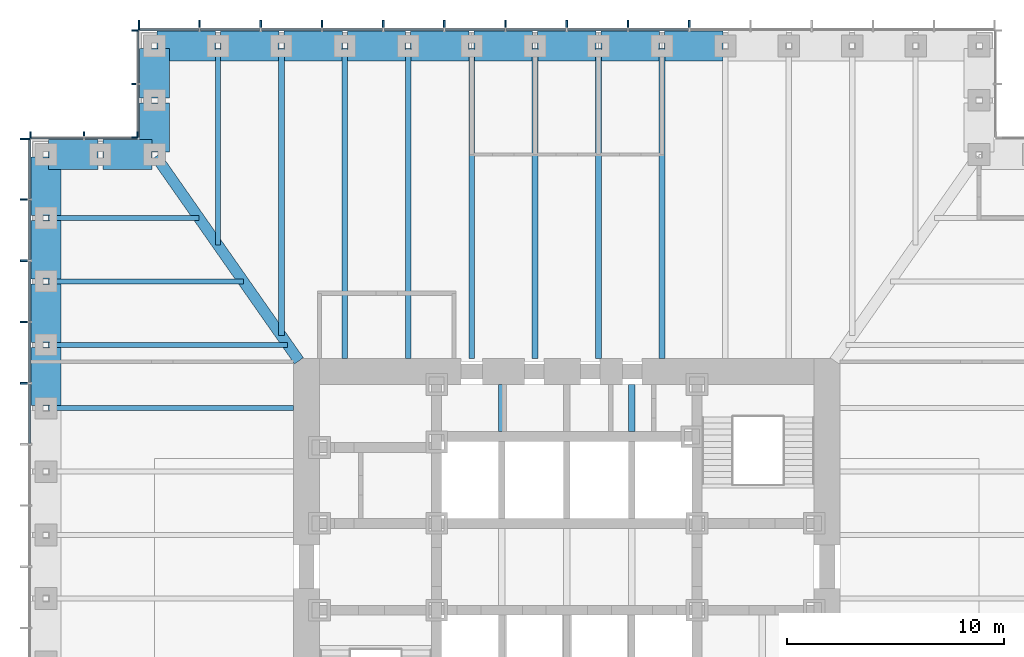
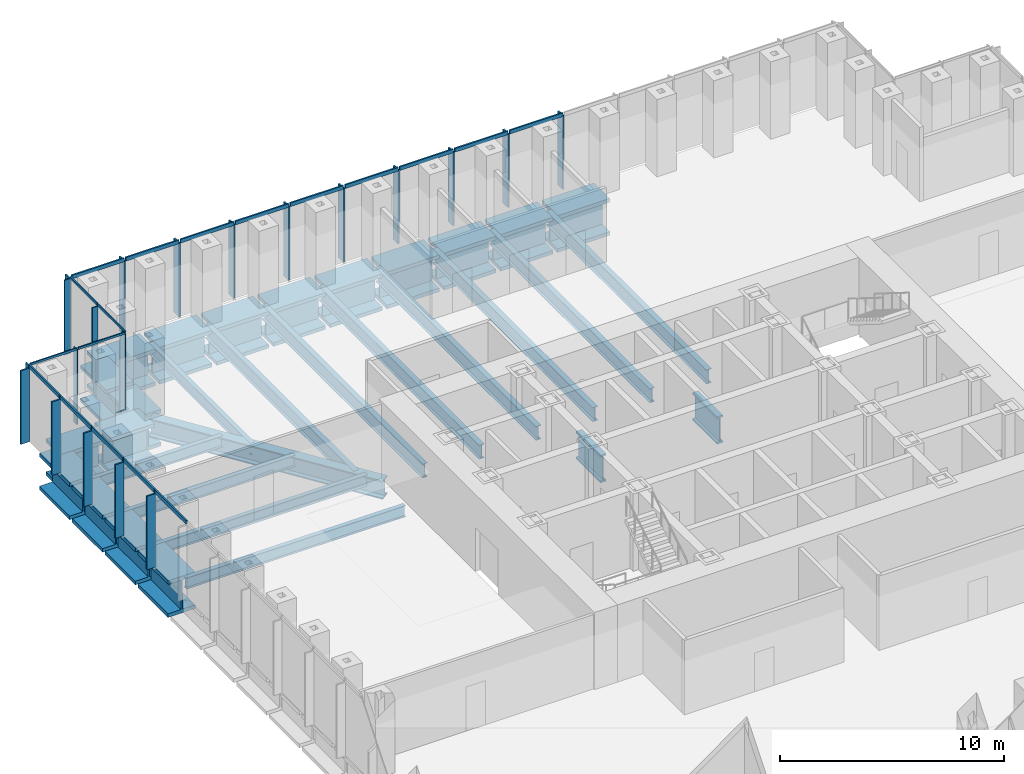
# One storey, part 5 of 16: 39 members, 32 beams, 4 elements without a shape of their own.
"""IFC4 building model written with IfcOpenShell, lengths in metres."""

from ifc_helpers import new_model, si_unit, direction, frame, origin, origin_2d, place, context, subcontext, project, spatial, rectangle, i_section, extrude, material, material_profile, profile_set, type_object, element, aggregate, save


model = new_model("IFC4")

# Units and contexts
model_context = context("Model", 3, precision=1e-05, world=origin(), true_north=direction((0.0, 1.0)))
body_context = subcontext(model_context, "Body", "Model", "MODEL_VIEW")
ifc_project = project(units=[si_unit("LENGTHUNIT", "METRE"), si_unit("AREAUNIT", "SQUARE_METRE"), si_unit("VOLUMEUNIT", "CUBIC_METRE"), si_unit("PLANEANGLEUNIT", "RADIAN"), si_unit("MASSUNIT", "GRAM", prefix="KILO")], contexts=[model_context])

# Site, building, storey
site_placement = place(None, origin())
site = spatial("IfcSite", under=ifc_project, at=site_placement, CompositionType="ELEMENT")
building_placement = place(site_placement, origin())
building = spatial("IfcBuilding", under=site, at=building_placement, Name="Daluyong Arena Tower", CompositionType="ELEMENT")
storey_placement = place(building_placement, frame((0.0, 0.0, 39.10009765625)))
storey = spatial("IfcBuildingStorey", under=building, at=storey_placement, Name="L07", CompositionType="ELEMENT", Elevation=39.10009765625)

# Curtain wall, members
ifc_material_1 = material(Name="Bronze anodised aluminium and glass", Category="aluminium")
curtain_wall_type_1 = type_object("IfcCurtainWallType", Name="Curtain wall CW1", PredefinedType="USERDEFINED", material=ifc_material_1)
curtain_wall_1_placement = place(storey_placement, origin())
curtain_wall_1 = element("IfcCurtainWall", 1, at=curtain_wall_1_placement, inside=storey, type_object=curtain_wall_type_1, Name="curtain wall L07 N", ObjectType="UNITISED CURTAIN WALL", PredefinedType="USERDEFINED")
ifc_material_2 = material(Name="Bronze anodised aluminium fin", Category="aluminium")
ifc_material_profile_1 = material_profile(ifc_material_2, rectangle(XDim=0.449951171875, YDim=0.080078125, at=origin_2d()))
ifc_profile_set_1 = profile_set([ifc_material_profile_1], Name="Bronze anodised aluminium fin")
member_type_1 = type_object("IfcMemberType", Name="CW1 bronze fin 450x80", PredefinedType="MULLION", material=ifc_profile_set_1)
member_1_placement = place(storey_placement, frame((61.642822265625, 104.97509765625, 0.0), z_axis=(0.0, 0.0, 1.0), x_axis=(0.0, -1.0, 0.0)))
member_1 = element("IfcMember", 2, at=member_1_placement, type_object=member_type_1, Name="curtain wall L07 N fin 6", PredefinedType="MULLION", context=body_context, shape_type="SweptSolid", body=[
    extrude(rectangle(XDim=0.449951171875, YDim=0.080078125, at=origin_2d()), origin(), (0.0, 0.0, 1.0), 4.0),
])
member_2_placement = place(storey_placement, frame((58.821533203125, 104.97509765625, 0.0), z_axis=(0.0, 0.0, 1.0), x_axis=(0.0, -1.0, 0.0)))
member_2 = element("IfcMember", 3, at=member_2_placement, type_object=member_type_1, Name="curtain wall L07 N fin 7", PredefinedType="MULLION", context=body_context, shape_type="SweptSolid", body=[
    extrude(rectangle(XDim=0.449951171875, YDim=0.080078125, at=origin_2d()), origin(), (0.0, 0.0, 1.0), 4.0),
])
member_3_placement = place(storey_placement, frame((56.0, 104.97509765625, 0.0), z_axis=(0.0, 0.0, 1.0), x_axis=(0.0, -1.0, 0.0)))
member_3 = element("IfcMember", 4, at=member_3_placement, type_object=member_type_1, Name="curtain wall L07 N fin 8", PredefinedType="MULLION", context=body_context, shape_type="SweptSolid", body=[
    extrude(rectangle(XDim=0.449951171875, YDim=0.080078125, at=origin_2d()), origin(), (0.0, 0.0, 1.0), 4.0),
])
member_4_placement = place(storey_placement, frame((53.178466796875, 104.97509765625, 0.0), z_axis=(0.0, 0.0, 1.0), x_axis=(0.0, -1.0, 0.0)))
member_4 = element("IfcMember", 5, at=member_4_placement, type_object=member_type_1, Name="curtain wall L07 N fin 9", PredefinedType="MULLION", context=body_context, shape_type="SweptSolid", body=[
    extrude(rectangle(XDim=0.449951171875, YDim=0.080078125, at=origin_2d()), origin(), (0.0, 0.0, 1.0), 4.0),
])
member_5_placement = place(storey_placement, frame((50.357177734375, 104.97509765625, 0.0), z_axis=(0.0, 0.0, 1.0), x_axis=(0.0, -1.0, 0.0)))
member_5 = element("IfcMember", 6, at=member_5_placement, type_object=member_type_1, Name="curtain wall L07 N fin 10", PredefinedType="MULLION", context=body_context, shape_type="SweptSolid", body=[
    extrude(rectangle(XDim=0.449951171875, YDim=0.080078125, at=origin_2d()), origin(), (0.0, 0.0, 1.0), 4.0),
])
member_6_placement = place(storey_placement, frame((47.53564453125, 104.97509765625, 0.0), z_axis=(0.0, 0.0, 1.0), x_axis=(0.0, -1.0, 0.0)))
member_6 = element("IfcMember", 7, at=member_6_placement, type_object=member_type_1, Name="curtain wall L07 N fin 11", PredefinedType="MULLION", context=body_context, shape_type="SweptSolid", body=[
    extrude(rectangle(XDim=0.449951171875, YDim=0.080078125, at=origin_2d()), origin(), (0.0, 0.0, 1.0), 4.0),
])
member_7_placement = place(storey_placement, frame((44.71435546875, 104.97509765625, 0.0), z_axis=(0.0, 0.0, 1.0), x_axis=(0.0, -1.0, 0.0)))
member_7 = element("IfcMember", 8, at=member_7_placement, type_object=member_type_1, Name="curtain wall L07 N fin 12", PredefinedType="MULLION", context=body_context, shape_type="SweptSolid", body=[
    extrude(rectangle(XDim=0.449951171875, YDim=0.080078125, at=origin_2d()), origin(), (0.0, 0.0, 1.0), 4.0),
])
member_8_placement = place(storey_placement, frame((41.892822265625, 104.97509765625, 0.0), z_axis=(0.0, 0.0, 1.0), x_axis=(0.0, -1.0, 0.0)))
member_8 = element("IfcMember", 9, at=member_8_placement, type_object=member_type_1, Name="curtain wall L07 N fin 13", PredefinedType="MULLION", context=body_context, shape_type="SweptSolid", body=[
    extrude(rectangle(XDim=0.449951171875, YDim=0.080078125, at=origin_2d()), origin(), (0.0, 0.0, 1.0), 4.0),
])
member_9_placement = place(storey_placement, frame((39.071533203125, 104.97509765625, 0.0), z_axis=(0.0, 0.0, 1.0), x_axis=(0.0, -1.0, 0.0)))
member_9 = element("IfcMember", 10, at=member_9_placement, type_object=member_type_1, Name="curtain wall L07 N fin 14", PredefinedType="MULLION", context=body_context, shape_type="SweptSolid", body=[
    extrude(rectangle(XDim=0.449951171875, YDim=0.080078125, at=origin_2d()), origin(), (0.0, 0.0, 1.0), 4.0),
])
member_10_placement = place(storey_placement, frame((36.2900390625, 104.97509765625, 0.0), z_axis=(0.0, 0.0, 1.0), x_axis=(0.0, -1.0, 0.0)))
member_10 = element("IfcMember", 11, at=member_10_placement, type_object=member_type_1, Name="curtain wall L07 N fin 15", PredefinedType="MULLION", context=body_context, shape_type="SweptSolid", body=[
    extrude(rectangle(XDim=0.449951171875, YDim=0.080078125, at=origin_2d()), origin(), (0.0, 0.0, 1.0), 4.0),
])

curtain_wall_2_placement = place(storey_placement, origin())
curtain_wall_2 = element("IfcCurtainWall", 12, at=curtain_wall_2_placement, inside=storey, type_object=curtain_wall_type_1, Name="curtain wall L07 W", ObjectType="UNITISED CURTAIN WALL", PredefinedType="USERDEFINED")
member_11_placement = place(storey_placement, frame((31.02490234375, 99.7099609375, 0.0), z_axis=(0.0, 0.0, 1.0), x_axis=(1.0, 0.0, 0.0)))
member_11 = element("IfcMember", 13, at=member_11_placement, type_object=member_type_1, Name="curtain wall L07 W fin 1", PredefinedType="MULLION", context=body_context, shape_type="SweptSolid", body=[
    extrude(rectangle(XDim=0.449951171875, YDim=0.080078125, at=origin_2d()), origin(), (0.0, 0.0, 1.0), 4.0),
])
member_12_placement = place(storey_placement, frame((31.02490234375, 96.928466796875, 0.0), z_axis=(0.0, 0.0, 1.0), x_axis=(1.0, 0.0, 0.0)))
member_12 = element("IfcMember", 14, at=member_12_placement, type_object=member_type_1, Name="curtain wall L07 W fin 2", PredefinedType="MULLION", context=body_context, shape_type="SweptSolid", body=[
    extrude(rectangle(XDim=0.449951171875, YDim=0.080078125, at=origin_2d()), origin(), (0.0, 0.0, 1.0), 4.0),
])
member_13_placement = place(storey_placement, frame((31.02490234375, 94.107177734375, 0.0), z_axis=(0.0, 0.0, 1.0), x_axis=(1.0, 0.0, 0.0)))
member_13 = element("IfcMember", 15, at=member_13_placement, type_object=member_type_1, Name="curtain wall L07 W fin 3", PredefinedType="MULLION", context=body_context, shape_type="SweptSolid", body=[
    extrude(rectangle(XDim=0.449951171875, YDim=0.080078125, at=origin_2d()), origin(), (0.0, 0.0, 1.0), 4.0),
])
member_14_placement = place(storey_placement, frame((31.02490234375, 91.28564453125, 0.0), z_axis=(0.0, 0.0, 1.0), x_axis=(1.0, 0.0, 0.0)))
member_14 = element("IfcMember", 16, at=member_14_placement, type_object=member_type_1, Name="curtain wall L07 W fin 4", PredefinedType="MULLION", context=body_context, shape_type="SweptSolid", body=[
    extrude(rectangle(XDim=0.449951171875, YDim=0.080078125, at=origin_2d()), origin(), (0.0, 0.0, 1.0), 4.0),
])
member_15_placement = place(storey_placement, frame((31.02490234375, 88.46435546875, 0.0), z_axis=(0.0, 0.0, 1.0), x_axis=(1.0, 0.0, 0.0)))
member_15 = element("IfcMember", 17, at=member_15_placement, type_object=member_type_1, Name="curtain wall L07 W fin 5", PredefinedType="MULLION", context=body_context, shape_type="SweptSolid", body=[
    extrude(rectangle(XDim=0.449951171875, YDim=0.080078125, at=origin_2d()), origin(), (0.0, 0.0, 1.0), 4.0),
])

# Member
ifc_material_3 = material(Name="Bronze anodised aluminium", Category="aluminium")
ifc_material_profile_2 = material_profile(ifc_material_3, rectangle(XDim=0.080078125, YDim=0.199951171875, at=origin_2d()))
ifc_profile_set_2 = profile_set([ifc_material_profile_2], Name="Bronze anodised aluminium")
member_type_2 = type_object("IfcMemberType", Name="CW1 stack transom 200x80", PredefinedType="USERDEFINED", material=ifc_profile_set_2)
member_16_placement = place(storey_placement, frame((61.602783203125, 104.75, 4.099853515625), z_axis=(-1.0, 0.0, 0.0), x_axis=(0.0, -1.0, 0.0)))
member_16 = element("IfcMember", 18, at=member_16_placement, type_object=member_type_2, Name="curtain wall L07 N transom 6", ObjectType="TRANSOM", PredefinedType="USERDEFINED", context=body_context, shape_type="SweptSolid", body=[
    extrude(rectangle(XDim=0.080078125, YDim=0.199951171875, at=origin_2d()), origin(), (0.0, 0.0, 1.0), 2.741455078125),
])

member_17_placement = place(storey_placement, frame((58.781494140625, 104.75, 4.099853515625), z_axis=(-1.0, 0.0, 0.0), x_axis=(0.0, -1.0, 0.0)))
member_17 = element("IfcMember", 19, at=member_17_placement, type_object=member_type_2, Name="curtain wall L07 N transom 7", ObjectType="TRANSOM", PredefinedType="USERDEFINED", context=body_context, shape_type="SweptSolid", body=[
    extrude(rectangle(XDim=0.080078125, YDim=0.199951171875, at=origin_2d()), origin(), (0.0, 0.0, 1.0), 2.741455078125),
])

member_18_placement = place(storey_placement, frame((55.9599609375, 104.75, 4.099853515625), z_axis=(-1.0, 0.0, 0.0), x_axis=(0.0, -1.0, 0.0)))
member_18 = element("IfcMember", 20, at=member_18_placement, type_object=member_type_2, Name="curtain wall L07 N transom 8", ObjectType="TRANSOM", PredefinedType="USERDEFINED", context=body_context, shape_type="SweptSolid", body=[
    extrude(rectangle(XDim=0.080078125, YDim=0.199951171875, at=origin_2d()), origin(), (0.0, 0.0, 1.0), 2.741455078125),
])

member_19_placement = place(storey_placement, frame((53.138671875, 104.75, 4.099853515625), z_axis=(-1.0, 0.0, 0.0), x_axis=(0.0, -1.0, 0.0)))
member_19 = element("IfcMember", 21, at=member_19_placement, type_object=member_type_2, Name="curtain wall L07 N transom 9", ObjectType="TRANSOM", PredefinedType="USERDEFINED", context=body_context, shape_type="SweptSolid", body=[
    extrude(rectangle(XDim=0.080078125, YDim=0.199951171875, at=origin_2d()), origin(), (0.0, 0.0, 1.0), 2.741455078125),
])

member_20_placement = place(storey_placement, frame((50.317138671875, 104.75, 4.099853515625), z_axis=(-1.0, 0.0, 0.0), x_axis=(0.0, -1.0, 0.0)))
member_20 = element("IfcMember", 22, at=member_20_placement, type_object=member_type_2, Name="curtain wall L07 N transom 10", ObjectType="TRANSOM", PredefinedType="USERDEFINED", context=body_context, shape_type="SweptSolid", body=[
    extrude(rectangle(XDim=0.080078125, YDim=0.199951171875, at=origin_2d()), origin(), (0.0, 0.0, 1.0), 2.741455078125),
])

member_21_placement = place(storey_placement, frame((47.49560546875, 104.75, 4.099853515625), z_axis=(-1.0, 0.0, 0.0), x_axis=(0.0, -1.0, 0.0)))
member_21 = element("IfcMember", 23, at=member_21_placement, type_object=member_type_2, Name="curtain wall L07 N transom 11", ObjectType="TRANSOM", PredefinedType="USERDEFINED", context=body_context, shape_type="SweptSolid", body=[
    extrude(rectangle(XDim=0.080078125, YDim=0.199951171875, at=origin_2d()), origin(), (0.0, 0.0, 1.0), 2.7412109375),
])

member_22_placement = place(storey_placement, frame((44.67431640625, 104.75, 4.099853515625), z_axis=(-1.0, 0.0, 0.0), x_axis=(0.0, -1.0, 0.0)))
member_22 = element("IfcMember", 24, at=member_22_placement, type_object=member_type_2, Name="curtain wall L07 N transom 12", ObjectType="TRANSOM", PredefinedType="USERDEFINED", context=body_context, shape_type="SweptSolid", body=[
    extrude(rectangle(XDim=0.080078125, YDim=0.199951171875, at=origin_2d()), origin(), (0.0, 0.0, 1.0), 2.741455078125),
])

member_23_placement = place(storey_placement, frame((41.852783203125, 104.75, 4.099853515625), z_axis=(-1.0, 0.0, 0.0), x_axis=(0.0, -1.0, 0.0)))
member_23 = element("IfcMember", 25, at=member_23_placement, type_object=member_type_2, Name="curtain wall L07 N transom 13", ObjectType="TRANSOM", PredefinedType="USERDEFINED", context=body_context, shape_type="SweptSolid", body=[
    extrude(rectangle(XDim=0.080078125, YDim=0.199951171875, at=origin_2d()), origin(), (0.0, 0.0, 1.0), 2.741455078125),
])

member_24_placement = place(storey_placement, frame((39.031494140625, 104.75, 4.099853515625), z_axis=(-1.0, 0.0, 0.0), x_axis=(0.0, -1.0, 0.0)))
member_24 = element("IfcMember", 26, at=member_24_placement, type_object=member_type_2, Name="curtain wall L07 N transom 14", ObjectType="TRANSOM", PredefinedType="USERDEFINED", context=body_context, shape_type="SweptSolid", body=[
    extrude(rectangle(XDim=0.080078125, YDim=0.199951171875, at=origin_2d()), origin(), (0.0, 0.0, 1.0), 2.701416015625),
])

aggregate(curtain_wall_1, [member_1, member_2, member_3, member_4, member_5, member_6, member_7, member_8, member_9, member_10, member_16, member_17, member_18, member_19, member_20, member_21, member_22, member_23, member_24])

member_25_placement = place(storey_placement, frame((31.25, 99.669921875, 4.099853515625), z_axis=(0.0, -1.0, 0.0), x_axis=(1.0, 0.0, 0.0)))
member_25 = element("IfcMember", 27, at=member_25_placement, type_object=member_type_2, Name="curtain wall L07 W transom 1", ObjectType="TRANSOM", PredefinedType="USERDEFINED", context=body_context, shape_type="SweptSolid", body=[
    extrude(rectangle(XDim=0.080078125, YDim=0.199951171875, at=origin_2d()), origin(), (0.0, 0.0, 1.0), 2.701416015625),
])

member_26_placement = place(storey_placement, frame((31.25, 96.888671875, 4.099853515625), z_axis=(0.0, -1.0, 0.0), x_axis=(1.0, 0.0, 0.0)))
member_26 = element("IfcMember", 28, at=member_26_placement, type_object=member_type_2, Name="curtain wall L07 W transom 2", ObjectType="TRANSOM", PredefinedType="USERDEFINED", context=body_context, shape_type="SweptSolid", body=[
    extrude(rectangle(XDim=0.080078125, YDim=0.199951171875, at=origin_2d()), origin(), (0.0, 0.0, 1.0), 2.741455078125),
])

member_27_placement = place(storey_placement, frame((31.25, 94.067138671875, 4.099853515625), z_axis=(0.0, -1.0, 0.0), x_axis=(1.0, 0.0, 0.0)))
member_27 = element("IfcMember", 29, at=member_27_placement, type_object=member_type_2, Name="curtain wall L07 W transom 3", ObjectType="TRANSOM", PredefinedType="USERDEFINED", context=body_context, shape_type="SweptSolid", body=[
    extrude(rectangle(XDim=0.080078125, YDim=0.199951171875, at=origin_2d()), origin(), (0.0, 0.0, 1.0), 2.741455078125),
])

member_28_placement = place(storey_placement, frame((31.25, 91.24560546875, 4.099853515625), z_axis=(0.0, -1.0, 0.0), x_axis=(1.0, 0.0, 0.0)))
member_28 = element("IfcMember", 30, at=member_28_placement, type_object=member_type_2, Name="curtain wall L07 W transom 4", ObjectType="TRANSOM", PredefinedType="USERDEFINED", context=body_context, shape_type="SweptSolid", body=[
    extrude(rectangle(XDim=0.080078125, YDim=0.199951171875, at=origin_2d()), origin(), (0.0, 0.0, 1.0), 2.7412109375),
])

member_29_placement = place(storey_placement, frame((31.25, 88.42431640625, 4.099853515625), z_axis=(0.0, -1.0, 0.0), x_axis=(1.0, 0.0, 0.0)))
member_29 = element("IfcMember", 31, at=member_29_placement, type_object=member_type_2, Name="curtain wall L07 W transom 5", ObjectType="TRANSOM", PredefinedType="USERDEFINED", context=body_context, shape_type="SweptSolid", body=[
    extrude(rectangle(XDim=0.080078125, YDim=0.199951171875, at=origin_2d()), origin(), (0.0, 0.0, 1.0), 2.741455078125),
])

aggregate(curtain_wall_2, [member_11, member_12, member_13, member_14, member_15, member_25, member_26, member_27, member_28, member_29])

# Curtain wall, members
ifc_material_4 = material(Name="Bronze anodised aluminium and glass", Category="aluminium")
curtain_wall_type_2 = type_object("IfcCurtainWallType", Name="Curtain wall CW7", PredefinedType="USERDEFINED", material=ifc_material_4)
curtain_wall_3_placement = place(storey_placement, origin())
curtain_wall_3 = element("IfcCurtainWall", 32, at=curtain_wall_3_placement, inside=storey, type_object=curtain_wall_type_2, Name="curtain wall L07 NW-W", ObjectType="UNITISED CURTAIN WALL", PredefinedType="USERDEFINED")
ifc_material_5 = material(Name="Bronze anodised aluminium fin", Category="aluminium")
ifc_material_profile_3 = material_profile(ifc_material_5, rectangle(XDim=0.300048828125, YDim=0.06005859375, at=origin_2d()))
ifc_profile_set_3 = profile_set([ifc_material_profile_3], Name="Bronze anodised aluminium fin")
member_type_3 = type_object("IfcMemberType", Name="CW7 bronze fin 300x60", PredefinedType="MULLION", material=ifc_profile_set_3)
member_30_placement = place(storey_placement, frame((36.10009765625, 104.719970703125, 0.0), z_axis=(0.0, 0.0, 1.0), x_axis=(1.0, 0.0, 0.0)))
member_30 = element("IfcMember", 33, at=member_30_placement, type_object=member_type_3, Name="curtain wall L07 NW-W fin 1", PredefinedType="MULLION", context=body_context, shape_type="SweptSolid", body=[
    extrude(rectangle(XDim=0.300048828125, YDim=0.06005859375, at=origin_2d()), origin(), (0.0, 0.0, 1.0), 4.079833984375),
])
member_31_placement = place(storey_placement, frame((36.10009765625, 102.25, 0.0), z_axis=(0.0, 0.0, 1.0), x_axis=(1.0, 0.0, 0.0)))
member_31 = element("IfcMember", 34, at=member_31_placement, type_object=member_type_3, Name="curtain wall L07 NW-W fin 2", PredefinedType="MULLION", context=body_context, shape_type="SweptSolid", body=[
    extrude(rectangle(XDim=0.300048828125, YDim=0.06005859375, at=origin_2d()), origin(), (0.0, 0.0, 1.0), 4.079833984375),
])
member_32_placement = place(storey_placement, frame((36.10009765625, 99.780029296875, 0.0), z_axis=(0.0, 0.0, 1.0), x_axis=(1.0, 0.0, 0.0)))
member_32 = element("IfcMember", 35, at=member_32_placement, type_object=member_type_3, Name="curtain wall L07 NW-W fin 3", PredefinedType="MULLION", context=body_context, shape_type="SweptSolid", body=[
    extrude(rectangle(XDim=0.300048828125, YDim=0.06005859375, at=origin_2d()), origin(), (0.0, 0.0, 1.0), 4.079833984375),
])

curtain_wall_4_placement = place(storey_placement, origin())
curtain_wall_4 = element("IfcCurtainWall", 36, at=curtain_wall_4_placement, inside=storey, type_object=curtain_wall_type_2, Name="curtain wall L07 NW-N", ObjectType="UNITISED CURTAIN WALL", PredefinedType="USERDEFINED")
member_33_placement = place(storey_placement, frame((36.219970703125, 99.89990234375, 0.0), z_axis=(0.0, 0.0, 1.0), x_axis=(0.0, -1.0, 0.0)))
member_33 = element("IfcMember", 37, at=member_33_placement, type_object=member_type_3, Name="curtain wall L07 NW-N fin 1", PredefinedType="MULLION", context=body_context, shape_type="SweptSolid", body=[
    extrude(rectangle(XDim=0.300048828125, YDim=0.06005859375, at=origin_2d()), origin(), (0.0, 0.0, 1.0), 4.079833984375),
])
member_34_placement = place(storey_placement, frame((33.75, 99.89990234375, 0.0), z_axis=(0.0, 0.0, 1.0), x_axis=(0.0, -1.0, 0.0)))
member_34 = element("IfcMember", 38, at=member_34_placement, type_object=member_type_3, Name="curtain wall L07 NW-N fin 2", PredefinedType="MULLION", context=body_context, shape_type="SweptSolid", body=[
    extrude(rectangle(XDim=0.300048828125, YDim=0.06005859375, at=origin_2d()), origin(), (0.0, 0.0, 1.0), 4.079833984375),
])
member_35_placement = place(storey_placement, frame((31.280029296875, 99.89990234375, 0.0), z_axis=(0.0, 0.0, 1.0), x_axis=(0.0, -1.0, 0.0)))
member_35 = element("IfcMember", 39, at=member_35_placement, type_object=member_type_3, Name="curtain wall L07 NW-N fin 3", PredefinedType="MULLION", context=body_context, shape_type="SweptSolid", body=[
    extrude(rectangle(XDim=0.300048828125, YDim=0.06005859375, at=origin_2d()), origin(), (0.0, 0.0, 1.0), 4.079833984375),
])

# Member
ifc_material_6 = material(Name="Bronze anodised aluminium", Category="aluminium")
ifc_material_profile_4 = material_profile(ifc_material_6, rectangle(XDim=0.06005859375, YDim=0.1201171875, at=origin_2d()))
ifc_profile_set_4 = profile_set([ifc_material_profile_4], Name="Bronze anodised aluminium")
member_type_4 = type_object("IfcMemberType", Name="CW7 stack transom 120x60", PredefinedType="USERDEFINED", material=ifc_profile_set_4)
member_36_placement = place(storey_placement, frame((36.25, 104.68994140625, 4.139892578125), z_axis=(0.0, -1.0, 0.0), x_axis=(1.0, 0.0, 0.0)))
member_36 = element("IfcMember", 40, at=member_36_placement, type_object=member_type_4, Name="curtain wall L07 NW-W transom 1", ObjectType="TRANSOM", PredefinedType="USERDEFINED", context=body_context, shape_type="SweptSolid", body=[
    extrude(rectangle(XDim=0.06005859375, YDim=0.1201171875, at=origin_2d()), origin(), (0.0, 0.0, 1.0), 2.409912109375),
])

member_37_placement = place(storey_placement, frame((36.25, 102.219970703125, 4.139892578125), z_axis=(0.0, -1.0, 0.0), x_axis=(1.0, 0.0, 0.0)))
member_37 = element("IfcMember", 41, at=member_37_placement, type_object=member_type_4, Name="curtain wall L07 NW-W transom 2", ObjectType="TRANSOM", PredefinedType="USERDEFINED", context=body_context, shape_type="SweptSolid", body=[
    extrude(rectangle(XDim=0.06005859375, YDim=0.1201171875, at=origin_2d()), origin(), (0.0, 0.0, 1.0), 2.409912109375),
])

aggregate(curtain_wall_3, [member_30, member_31, member_32, member_36, member_37])

member_38_placement = place(storey_placement, frame((36.18994140625, 99.75, 4.139892578125), z_axis=(-1.0, 0.0, 0.0), x_axis=(0.0, -1.0, 0.0)))
member_38 = element("IfcMember", 42, at=member_38_placement, type_object=member_type_4, Name="curtain wall L07 NW-N transom 1", ObjectType="TRANSOM", PredefinedType="USERDEFINED", context=body_context, shape_type="SweptSolid", body=[
    extrude(rectangle(XDim=0.06005859375, YDim=0.1201171875, at=origin_2d()), origin(), (0.0, 0.0, 1.0), 2.409912109375),
])

member_39_placement = place(storey_placement, frame((33.719970703125, 99.75, 4.139892578125), z_axis=(-1.0, 0.0, 0.0), x_axis=(0.0, -1.0, 0.0)))
member_39 = element("IfcMember", 43, at=member_39_placement, type_object=member_type_4, Name="curtain wall L07 NW-N transom 2", ObjectType="TRANSOM", PredefinedType="USERDEFINED", context=body_context, shape_type="SweptSolid", body=[
    extrude(rectangle(XDim=0.06005859375, YDim=0.1201171875, at=origin_2d()), origin(), (0.0, 0.0, 1.0), 2.409912109375),
])

aggregate(curtain_wall_4, [member_33, member_34, member_35, member_38, member_39])

# Beams
ifc_material_7 = material(Name="Steel ASTM A572 Grade 50", Category="steel")
ifc_material_profile_5 = material_profile(ifc_material_7, i_section(OverallWidth=0.5, OverallDepth=1.0, WebThickness=0.03, FlangeThickness=0.06, at=origin_2d()))
ifc_profile_set_5 = profile_set([ifc_material_profile_5], Name="Steel ASTM A572 Grade 50")
beam_type_1 = type_object("IfcBeamType", Name="Corner girder TB1000X500", PredefinedType="BEAM", material=ifc_profile_set_5)
beam_1_placement = place(storey_placement, frame((37.06591796875, 98.90576171875, -0.66015625), z_axis=(0.573466621875, -0.819228926244, 0.0), x_axis=(0.819228926244, 0.573466621875, 0.0)))
element("IfcBeam", 44, at=beam_1_placement, inside=storey, type_object=beam_type_1, Name="corner girder DG2", PredefinedType="BEAM", context=body_context, shape_type="SweptSolid", body=[
    extrude(i_section(OverallWidth=0.5, OverallDepth=1.0, WebThickness=0.03, FlangeThickness=0.06, at=origin_2d()), origin(), (0.0, 0.0, 1.0), 11.49169921875),
])
ifc_material_8 = material(Name="Steel ASTM A992 Grade 50", Category="steel")
ifc_material_profile_6 = material_profile(ifc_material_8, i_section(OverallWidth=0.22900390625, OverallDepth=0.612060546875, WebThickness=0.011962890625, FlangeThickness=0.01953125, at=origin_2d()))
ifc_profile_set_6 = profile_set([ifc_material_profile_6], Name="Steel ASTM A992 Grade 50")
beam_type_2 = type_object("IfcBeamType", Name="Floor beam W24X84", PredefinedType="BEAM", material=ifc_profile_set_6)
beam_2_placement = place(storey_placement, frame((39.923095703125, 103.885009765625, -0.466064453125), z_axis=(0.0, -1.0, 0.0), x_axis=(1.0, 0.0, 0.0)))
element("IfcBeam", 45, at=beam_2_placement, inside=storey, type_object=beam_type_2, Name="floor beam FB3", PredefinedType="BEAM", context=body_context, shape_type="SweptSolid", body=[
    extrude(i_section(OverallWidth=0.22900390625, OverallDepth=0.612060546875, WebThickness=0.011962890625, FlangeThickness=0.01953125, at=origin_2d()), origin(), (0.0, 0.0, 1.0), 9.060791015625),
])
beam_3_placement = place(storey_placement, frame((32.114990234375, 96.076904296875, -0.466064453125), z_axis=(1.0, 0.0, 0.0), x_axis=(0.0, 1.0, 0.0)))
element("IfcBeam", 46, at=beam_3_placement, inside=storey, type_object=beam_type_2, Name="floor beam FB3", PredefinedType="BEAM", context=body_context, shape_type="SweptSolid", body=[
    extrude(i_section(OverallWidth=0.22900390625, OverallDepth=0.612060546875, WebThickness=0.011962890625, FlangeThickness=0.01953125, at=origin_2d()), origin(), (0.0, 0.0, 1.0), 6.93115234375),
])
beam_4_placement = place(storey_placement, frame((32.114990234375, 93.15380859375, -0.466064453125), z_axis=(1.0, 0.0, 0.0), x_axis=(0.0, 1.0, 0.0)))
element("IfcBeam", 47, at=beam_4_placement, inside=storey, type_object=beam_type_2, Name="floor beam FB3", PredefinedType="BEAM", context=body_context, shape_type="SweptSolid", body=[
    extrude(i_section(OverallWidth=0.22900390625, OverallDepth=0.612060546875, WebThickness=0.011962890625, FlangeThickness=0.01953125, at=origin_2d()), origin(), (0.0, 0.0, 1.0), 8.977294921875),
])
beam_5_placement = place(storey_placement, frame((32.114990234375, 90.230712890625, -0.466064453125), z_axis=(1.0, 0.0, 0.0), x_axis=(0.0, 1.0, 0.0)))
element("IfcBeam", 48, at=beam_5_placement, inside=storey, type_object=beam_type_2, Name="floor beam FB3", PredefinedType="BEAM", context=body_context, shape_type="SweptSolid", body=[
    extrude(i_section(OverallWidth=0.22900390625, OverallDepth=0.612060546875, WebThickness=0.011962890625, FlangeThickness=0.01953125, at=origin_2d()), origin(), (0.0, 0.0, 1.0), 11.0234375),
])
beam_6_placement = place(storey_placement, frame((32.114990234375, 87.3076171875, -0.466064453125), z_axis=(1.0, 0.0, 0.0), x_axis=(0.0, 1.0, 0.0)))
element("IfcBeam", 49, at=beam_6_placement, inside=storey, type_object=beam_type_2, Name="floor beam FB3", PredefinedType="BEAM", context=body_context, shape_type="SweptSolid", body=[
    extrude(i_section(OverallWidth=0.22900390625, OverallDepth=0.612060546875, WebThickness=0.011962890625, FlangeThickness=0.01953125, at=origin_2d()), origin(), (0.0, 0.0, 1.0), 11.284912109375),
])
ifc_material_9 = material(Name="Steel ASTM A992 Grade 50", Category="steel")
ifc_material_profile_7 = material_profile(ifc_material_9, i_section(OverallWidth=0.2666015625, OverallDepth=0.761962890625, WebThickness=0.014404296875, FlangeThickness=0.021484375, at=origin_2d()))
ifc_profile_set_7 = profile_set([ifc_material_profile_7], Name="Steel ASTM A992 Grade 50")
beam_type_3 = type_object("IfcBeamType", Name="Floor beam W30X116", PredefinedType="BEAM", material=ifc_profile_set_7)
for number, where, z_axis, x_axis, name in (
    (50, (60.384521484375, 103.885009765625, -0.541015625), (0.0, -1.0, 0.0), (1.0, 0.0, 0.0), "floor beam FB4"),
    (51, (57.46142578125, 103.885009765625, -0.541015625), (0.0, -1.0, 0.0), (1.0, 0.0, 0.0), "floor beam FB4"),
    (52, (54.53857421875, 103.885009765625, -0.541015625), (0.0, -1.0, 0.0), (1.0, 0.0, 0.0), "floor beam FB4"),
    (53, (51.615478515625, 103.885009765625, -0.541015625), (0.0, -1.0, 0.0), (1.0, 0.0, 0.0), "floor beam FB4"),
    (54, (48.6923828125, 103.885009765625, -0.541015625), (0.0, -1.0, 0.0), (1.0, 0.0, 0.0), "floor beam FB4"),
    (55, (45.769287109375, 103.885009765625, -0.541015625), (0.0, -1.0, 0.0), (1.0, 0.0, 0.0), "floor beam FB4"),
):
    element("IfcBeam", number, at=place(storey_placement, frame(where, z_axis=z_axis, x_axis=x_axis)), inside=storey, type_object=beam_type_3, Name=name, PredefinedType="BEAM", context=body_context, shape_type="SweptSolid", body=[
        extrude(i_section(OverallWidth=0.2666015625, OverallDepth=0.761962890625, WebThickness=0.014404296875, FlangeThickness=0.021484375, at=origin_2d()), origin(), (0.0, 0.0, 1.0), 14.284912109375),
    ])
beam_7_placement = place(storey_placement, frame((42.84619140625, 103.885009765625, -0.541015625), z_axis=(0.0, -1.0, 0.0), x_axis=(1.0, 0.0, 0.0)))
element("IfcBeam", 56, at=beam_7_placement, inside=storey, type_object=beam_type_3, Name="floor beam FB4", PredefinedType="BEAM", context=body_context, shape_type="SweptSolid", body=[
    extrude(i_section(OverallWidth=0.2666015625, OverallDepth=0.761962890625, WebThickness=0.014404296875, FlangeThickness=0.021484375, at=origin_2d()), origin(), (0.0, 0.0, 1.0), 13.236572265625),
])
ifc_material_10 = material(Name="Steel ASTM A572 Grade 50", Category="steel")
ifc_material_profile_8 = material_profile(ifc_material_10, i_section(OverallWidth=0.300048828125, OverallDepth=1.5, WebThickness=0.04, FlangeThickness=0.1, at=origin_2d()))
ifc_profile_set_8 = profile_set([ifc_material_profile_8], Name="Steel ASTM A572 Grade 50")
beam_type_4 = type_object("IfcBeamType", Name="Lift divider beam PG1500X300", PredefinedType="BEAM", material=ifc_profile_set_8)
for number, where, z_axis, x_axis, name in (
    (57, (53.0, 86.22509765625, -0.91015625), (0.0, 1.0, 0.0), (-1.0, 0.0, 0.0), "lift divider beam DB2"),
    (58, (59.0, 86.22509765625, -0.91015625), (0.0, 1.0, 0.0), (-1.0, 0.0, 0.0), "lift divider beam DB2"),
):
    element("IfcBeam", number, at=place(storey_placement, frame(where, z_axis=z_axis, x_axis=x_axis)), inside=storey, type_object=beam_type_4, Name=name, PredefinedType="BEAM", context=body_context, shape_type="SweptSolid", body=[
        extrude(i_section(OverallWidth=0.300048828125, OverallDepth=1.5, WebThickness=0.04, FlangeThickness=0.1, at=origin_2d()), origin(), (0.0, 0.0, 1.0), 2.1748046875),
    ])
ifc_material_11 = material(Name="Steel ASTM A588 Grade 50", Category="steel")
ifc_material_profile_9 = material_profile(ifc_material_11, i_section(OverallWidth=1.39990234375, OverallDepth=2.0, WebThickness=0.07, FlangeThickness=0.2, at=origin_2d()))
ifc_profile_set_9 = profile_set([ifc_material_profile_9], Name="Steel ASTM A588 Grade 50")
beam_type_5 = type_object("IfcBeamType", Name="Spandrel Z1 PG2000X1400", PredefinedType="SPANDREL", material=ifc_profile_set_9)
for number, where, z_axis, x_axis, name in (
    (59, (63.192626953125, 104.0, -1.16015625), (-1.0, 0.0, 0.0), (0.0, -1.0, 0.0), "spandrel z1 SB1"),
    (60, (60.26953125, 104.0, -1.16015625), (-1.0, 0.0, 0.0), (0.0, -1.0, 0.0), "spandrel z1 SB1"),
):
    element("IfcBeam", number, at=place(storey_placement, frame(where, z_axis=z_axis, x_axis=x_axis)), inside=storey, type_object=beam_type_5, Name=name, PredefinedType="SPANDREL", context=body_context, shape_type="SweptSolid", body=[
        extrude(i_section(OverallWidth=1.39990234375, OverallDepth=2.0, WebThickness=0.07, FlangeThickness=0.2, at=origin_2d()), origin(), (0.0, 0.0, 1.0), 2.693115234375),
    ])
beam_8_placement = place(storey_placement, frame((57.346435546875, 104.0, -1.16015625), z_axis=(-1.0, 0.0, 0.0), x_axis=(0.0, -1.0, 0.0)))
element("IfcBeam", 61, at=beam_8_placement, inside=storey, type_object=beam_type_5, Name="spandrel z1 SB1", PredefinedType="SPANDREL", context=body_context, shape_type="SweptSolid", body=[
    extrude(i_section(OverallWidth=1.39990234375, OverallDepth=2.0, WebThickness=0.07, FlangeThickness=0.2, at=origin_2d()), origin(), (0.0, 0.0, 1.0), 2.69287109375),
])
for number, where, z_axis, x_axis, name in (
    (62, (54.423583984375, 104.0, -1.16015625), (-1.0, 0.0, 0.0), (0.0, -1.0, 0.0), "spandrel z1 SB1"),
    (63, (51.50048828125, 104.0, -1.16015625), (-1.0, 0.0, 0.0), (0.0, -1.0, 0.0), "spandrel z1 SB1"),
    (64, (48.577392578125, 104.0, -1.16015625), (-1.0, 0.0, 0.0), (0.0, -1.0, 0.0), "spandrel z1 SB1"),
    (65, (45.654296875, 104.0, -1.16015625), (-1.0, 0.0, 0.0), (0.0, -1.0, 0.0), "spandrel z1 SB1"),
    (66, (42.731201171875, 104.0, -1.16015625), (-1.0, 0.0, 0.0), (0.0, -1.0, 0.0), "spandrel z1 SB1"),
    (67, (39.80810546875, 104.0, -1.16015625), (-1.0, 0.0, 0.0), (0.0, -1.0, 0.0), "spandrel z1 SB1"),
):
    element("IfcBeam", number, at=place(storey_placement, frame(where, z_axis=z_axis, x_axis=x_axis)), inside=storey, type_object=beam_type_5, Name=name, PredefinedType="SPANDREL", context=body_context, shape_type="SweptSolid", body=[
        extrude(i_section(OverallWidth=1.39990234375, OverallDepth=2.0, WebThickness=0.07, FlangeThickness=0.2, at=origin_2d()), origin(), (0.0, 0.0, 1.0), 2.693115234375),
    ])
for number, where, z_axis, x_axis, name in (
    (68, (37.0, 103.885009765625, -1.16015625), (0.0, -1.0, 0.0), (1.0, 0.0, 0.0), "spandrel z1 SB1"),
    (69, (37.0, 101.385009765625, -1.16015625), (0.0, -1.0, 0.0), (1.0, 0.0, 0.0), "spandrel z1 SB1"),
    (70, (36.885009765625, 99.0, -1.16015625), (-1.0, 0.0, 0.0), (0.0, -1.0, 0.0), "spandrel z1 SB1"),
    (71, (34.385009765625, 99.0, -1.16015625), (-1.0, 0.0, 0.0), (0.0, -1.0, 0.0), "spandrel z1 SB1"),
):
    element("IfcBeam", number, at=place(storey_placement, frame(where, z_axis=z_axis, x_axis=x_axis)), inside=storey, type_object=beam_type_5, Name=name, PredefinedType="SPANDREL", context=body_context, shape_type="SweptSolid", body=[
        extrude(i_section(OverallWidth=1.39990234375, OverallDepth=2.0, WebThickness=0.07, FlangeThickness=0.2, at=origin_2d()), origin(), (0.0, 0.0, 1.0), 2.27001953125),
    ])
for number, where, z_axis, x_axis, name in (
    (72, (32.0, 98.885009765625, -1.16015625), (0.0, -1.0, 0.0), (1.0, 0.0, 0.0), "spandrel z1 SB1"),
    (73, (32.0, 95.9619140625, -1.16015625), (0.0, -1.0, 0.0), (1.0, 0.0, 0.0), "spandrel z1 SB1"),
    (74, (32.0, 93.038818359375, -1.16015625), (0.0, -1.0, 0.0), (1.0, 0.0, 0.0), "spandrel z1 SB1"),
    (75, (32.0, 90.11572265625, -1.16015625), (0.0, -1.0, 0.0), (1.0, 0.0, 0.0), "spandrel z1 SB1"),
):
    element("IfcBeam", number, at=place(storey_placement, frame(where, z_axis=z_axis, x_axis=x_axis)), inside=storey, type_object=beam_type_5, Name=name, PredefinedType="SPANDREL", context=body_context, shape_type="SweptSolid", body=[
        extrude(i_section(OverallWidth=1.39990234375, OverallDepth=2.0, WebThickness=0.07, FlangeThickness=0.2, at=origin_2d()), origin(), (0.0, 0.0, 1.0), 2.693115234375),
    ])

save(model, "model.ifc")
